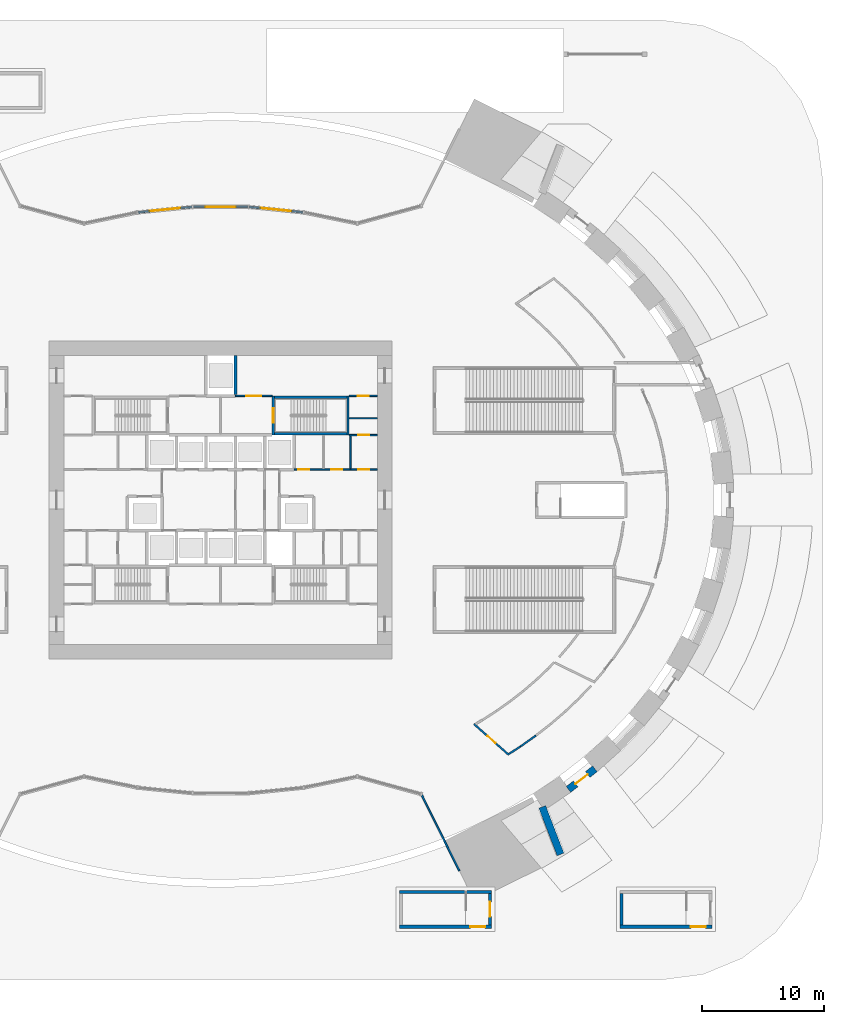
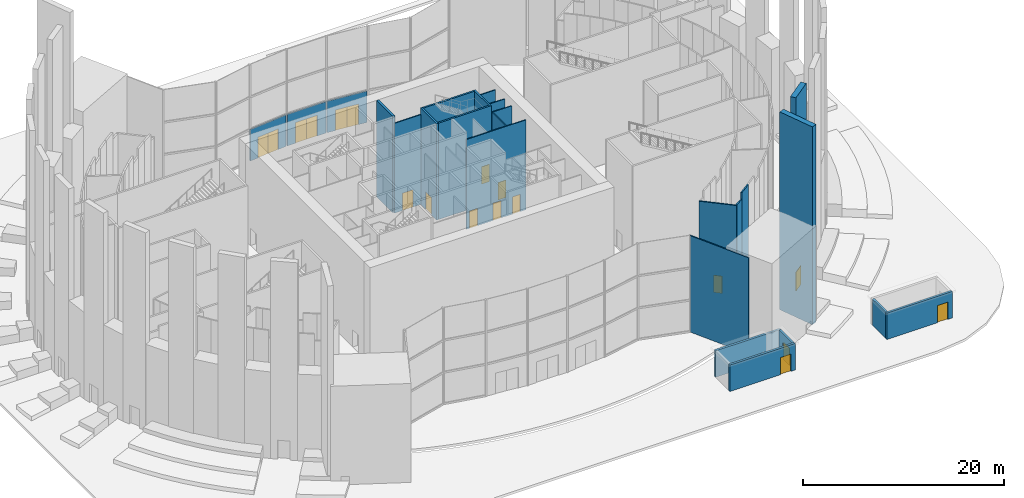
# One storey, part 12 of 25: 25 walls, 18 doors, 18 openings.
"""IFC4 building model written with IfcOpenShell, lengths in metres."""

from ifc_helpers import new_model, si_unit, direction, frame, frame_2d, origin, place, context, subcontext, project, spatial, rectangle, extrude, source, transform, mapped, material, layer, layer_set, type_object, element, fill, save


model = new_model("IFC4")

# Units and contexts
model_context = context("Model", 3, precision=1e-05, world=origin(), true_north=direction((0.0, 1.0)))
body_context = subcontext(model_context, "Body", "Model", "MODEL_VIEW")
ifc_project = project(units=[si_unit("LENGTHUNIT", "METRE"), si_unit("AREAUNIT", "SQUARE_METRE"), si_unit("VOLUMEUNIT", "CUBIC_METRE"), si_unit("PLANEANGLEUNIT", "RADIAN"), si_unit("MASSUNIT", "GRAM", prefix="KILO")], contexts=[model_context])

# Site, building, storey
site_placement = place(None, origin())
site = spatial("IfcSite", under=ifc_project, at=site_placement, CompositionType="ELEMENT")
building_placement = place(site_placement, origin())
building = spatial("IfcBuilding", under=site, at=building_placement, Name="Embergate Tower", CompositionType="ELEMENT")
storey_placement = place(building_placement, origin())
storey = spatial("IfcBuildingStorey", under=building, at=storey_placement, Name="L00", CompositionType="ELEMENT", Elevation=0.0)

# Wall
ifc_material_1 = material(Name="Brick masonry, solid, with terracotta coping", Category="masonry")
ifc_layer_1 = layer(ifc_material_1, 0.60009765625)
ifc_layer_set_1 = layer_set([ifc_layer_1], Name="Brick masonry, solid, with terracotta coping")
wall_type_1 = type_object("IfcWallType", Name="Masonry base wall", PredefinedType="SOLIDWALL", material=ifc_layer_set_1)
shared_shape_1 = source(origin(), body_context, "Body", "SweptSolid", [
    extrude(rectangle(XDim=4.158203125, YDim=0.60009765625, at=frame_2d((2.0791015625, 0.0))), origin(), (0.0, 0.0, 1.0), 24.0),
])
wall_1_placement = place(storey_placement, frame((26.26123046875, -25.063232421875, 0.0), z_axis=(0.0, 0.0, 1.0), x_axis=(0.359557362016, -0.933122984081, 0.0)))
element("IfcWall", 1, at=wall_1_placement, inside=storey, type_object=wall_type_1, Name="Masonry base wall 38", PredefinedType="SOLIDWALL", context=body_context, shape_type="MappedRepresentation", body=[
    mapped(shared_shape_1, transform((0.0, 0.0, 0.0))),
])

# Wall, opening, door
shared_shape_2 = source(origin(), body_context, "Body", "SweptSolid", [
    extrude(rectangle(XDim=2.734375, YDim=0.60009765625, at=frame_2d((1.3671875, 0.0))), origin(), (0.0, 0.0, 1.0), 24.0),
])
wall_2_placement = place(storey_placement, frame((30.5634765625, -21.957275390625, 0.0), z_axis=(0.0, 0.0, 1.0), x_axis=(-0.789015561302, -0.614373212325, 0.0)))
wall_2 = element("IfcWall", 2, at=wall_2_placement, inside=storey, type_object=wall_type_1, Name="Masonry base wall 39", PredefinedType="SOLIDWALL", context=body_context, shape_type="MappedRepresentation", body=[
    mapped(shared_shape_2, transform((0.0, 0.0, 0.0))),
])
shared_shape_3 = source(origin(), body_context, "Body", "SweptSolid", [
    extrude(rectangle(XDim=1.25, YDim=2.300048828125, at=frame_2d((0.625, 1.14990234375))), frame((0.0, 0.31005859375, 0.0), z_axis=(0.0, -1.0, 0.0), x_axis=(1.0, 0.0, 0.0)), (0.0, 0.0, 1.0), 0.6201171875),
])
opening_1_placement = place(wall_2_placement, frame((0.7421875, 0.0, 0.0)))
opening_1 = element("IfcOpeningElement", 3, at=opening_1_placement, cuts=wall_2, Name="Opening XD", PredefinedType="OPENING", context=body_context, shape_type="MappedRepresentation", body=[
    mapped(shared_shape_3, transform((0.0, 0.0, 0.0))),
])
ifc_material_2 = material(Name="Aluminium and toughened glass", Category="aluminium")
door_type_1 = type_object("IfcDoorType", Name="Exit door leaf", OperationType="SINGLE_SWING_LEFT", PredefinedType="DOOR", material=ifc_material_2)
shared_shape_4 = source(origin(), body_context, "Body", "SweptSolid", [
    extrude(rectangle(XDim=1.25, YDim=2.300048828125, at=frame_2d((0.625, 1.14990234375))), frame((0.0, 0.02490234375, 0.0), z_axis=(0.0, -1.0, 0.0), x_axis=(1.0, 0.0, 0.0)), (0.0, 0.0, 1.0), 0.050048828125),
])
door_1_placement = place(opening_1_placement, origin())
door_1 = element("IfcDoor", 4, at=door_1_placement, inside=storey, type_object=door_type_1, Name="Exit door ST2 39.1", OperationType="SINGLE_SWING_LEFT", OverallHeight=2.300048828125, OverallWidth=1.25, PredefinedType="DOOR", context=body_context, shape_type="MappedRepresentation", body=[
    mapped(shared_shape_4, transform((0.0, 0.0, 0.0))),
])
fill(opening_1, door_1)

# Wall, openings, doors
ifc_layer_2 = layer(ifc_material_2, 0.139892578125)
ifc_layer_set_2 = layer_set([ifc_layer_2], Name="Aluminium and toughened glass")
wall_type_2 = type_object("IfcWallType", Name="Glazed entrance screen", PredefinedType="SOLIDWALL", material=ifc_layer_set_2)
shared_shape_5 = source(origin(), body_context, "Body", "SweptSolid", [
    extrude(rectangle(XDim=4.390869140625, YDim=0.139892578125, at=frame_2d((2.1953125, 0.0))), origin(), (0.0, 0.0, 1.0), 3.81005859375),
])
wall_3_placement = place(storey_placement, frame((2.3466796875, 23.935791015625, 0.0), z_axis=(0.0, 0.0, 1.0), x_axis=(0.994939828097, -0.100472575689, 0.0)))
wall_3 = element("IfcWall", 5, at=wall_3_placement, inside=storey, type_object=wall_type_2, Name="Entrance screen 103", PredefinedType="SOLIDWALL", context=body_context, shape_type="MappedRepresentation", body=[
    mapped(shared_shape_5, transform((0.0, 0.0, 0.0))),
])
shared_shape_6 = source(origin(), body_context, "Body", "SweptSolid", [
    extrude(rectangle(XDim=1.25, YDim=2.5, at=frame_2d((0.625, 1.25))), frame((0.0, 0.079833984375, 0.0), z_axis=(0.0, -1.0, 0.0), x_axis=(1.0, 0.0, 0.0)), (0.0, 0.0, 1.0), 0.159912109375),
])
opening_2_placement = place(wall_3_placement, frame((0.9453125, 0.0, 0.0)))
opening_2 = element("IfcOpeningElement", 6, at=opening_2_placement, cuts=wall_3, Name="Opening ED", PredefinedType="OPENING", context=body_context, shape_type="MappedRepresentation", body=[
    mapped(shared_shape_6, transform((0.0, 0.0, 0.0))),
])
opening_3_placement = place(wall_3_placement, frame((2.1953125, 0.0, 0.0)))
opening_3 = element("IfcOpeningElement", 7, at=opening_3_placement, cuts=wall_3, Name="Opening ED", PredefinedType="OPENING", context=body_context, shape_type="MappedRepresentation", body=[
    mapped(shared_shape_6, transform((0.0, 0.0, 0.0))),
])
door_type_2 = type_object("IfcDoorType", Name="Entrance door leaf", OperationType="SINGLE_SWING_LEFT", PredefinedType="DOOR", material=ifc_material_2)
shared_shape_7 = source(origin(), body_context, "Body", "SweptSolid", [
    extrude(rectangle(XDim=1.25, YDim=2.5, at=frame_2d((0.625, 1.25))), frame((0.0, 0.02490234375, 0.0), z_axis=(0.0, -1.0, 0.0), x_axis=(1.0, 0.0, 0.0)), (0.0, 0.0, 1.0), 0.050048828125),
])
door_2_placement = place(opening_2_placement, origin())
door_2 = element("IfcDoor", 8, at=door_2_placement, inside=storey, type_object=door_type_2, Name="Entrance door 103.1", OperationType="SINGLE_SWING_LEFT", OverallHeight=2.5, OverallWidth=1.25, PredefinedType="DOOR", context=body_context, shape_type="MappedRepresentation", body=[
    mapped(shared_shape_7, transform((0.0, 0.0, 0.0))),
])
fill(opening_2, door_2)
door_3_placement = place(opening_3_placement, origin())
door_3 = element("IfcDoor", 9, at=door_3_placement, inside=storey, type_object=door_type_2, Name="Entrance door 103.2", OperationType="SINGLE_SWING_LEFT", OverallHeight=2.5, OverallWidth=1.25, PredefinedType="DOOR", context=body_context, shape_type="MappedRepresentation", body=[
    mapped(shared_shape_7, transform((0.0, 0.0, 0.0))),
])
fill(opening_3, door_3)

wall_4_placement = place(storey_placement, frame((-6.71533203125, 23.49462890625, 0.0), z_axis=(0.0, 0.0, 1.0), x_axis=(0.994939828097, 0.100472575689, 0.0)))
wall_4 = element("IfcWall", 10, at=wall_4_placement, inside=storey, type_object=wall_type_2, Name="Entrance screen 105", PredefinedType="SOLIDWALL", context=body_context, shape_type="MappedRepresentation", body=[
    mapped(shared_shape_5, transform((0.0, 0.0, 0.0))),
])
opening_4_placement = place(wall_4_placement, frame((0.9453125, 0.0, 0.0)))
opening_4 = element("IfcOpeningElement", 11, at=opening_4_placement, cuts=wall_4, Name="Opening ED", PredefinedType="OPENING", context=body_context, shape_type="MappedRepresentation", body=[
    mapped(shared_shape_6, transform((0.0, 0.0, 0.0))),
])
opening_5_placement = place(wall_4_placement, frame((2.1953125, 0.0, 0.0)))
opening_5 = element("IfcOpeningElement", 12, at=opening_5_placement, cuts=wall_4, Name="Opening ED", PredefinedType="OPENING", context=body_context, shape_type="MappedRepresentation", body=[
    mapped(shared_shape_6, transform((0.0, 0.0, 0.0))),
])
door_4_placement = place(opening_4_placement, origin())
door_4 = element("IfcDoor", 13, at=door_4_placement, inside=storey, type_object=door_type_2, Name="Entrance door 105.1", OperationType="SINGLE_SWING_LEFT", OverallHeight=2.5, OverallWidth=1.25, PredefinedType="DOOR", context=body_context, shape_type="MappedRepresentation", body=[
    mapped(shared_shape_7, transform((0.0, 0.0, 0.0))),
])
fill(opening_4, door_4)
door_5_placement = place(opening_5_placement, origin())
door_5 = element("IfcDoor", 14, at=door_5_placement, inside=storey, type_object=door_type_2, Name="Entrance door 105.2", OperationType="SINGLE_SWING_LEFT", OverallHeight=2.5, OverallWidth=1.25, PredefinedType="DOOR", context=body_context, shape_type="MappedRepresentation", body=[
    mapped(shared_shape_7, transform((0.0, 0.0, 0.0))),
])
fill(opening_5, door_5)

shared_shape_8 = source(origin(), body_context, "Body", "SweptSolid", [
    extrude(rectangle(XDim=4.4140625, YDim=0.139892578125, at=frame_2d((2.20703125, 0.0))), origin(), (0.0, 0.0, 1.0), 3.81005859375),
])
wall_5_placement = place(storey_placement, frame((-2.20703125, 23.94287109375, 0.0), z_axis=(0.0, 0.0, 1.0), x_axis=(1.0, 0.0, 0.0)))
wall_5 = element("IfcWall", 15, at=wall_5_placement, inside=storey, type_object=wall_type_2, Name="Entrance screen 104", PredefinedType="SOLIDWALL", context=body_context, shape_type="MappedRepresentation", body=[
    mapped(shared_shape_8, transform((0.0, 0.0, 0.0))),
])
opening_6_placement = place(wall_5_placement, frame((0.95703125, 0.0, 0.0)))
opening_6 = element("IfcOpeningElement", 16, at=opening_6_placement, cuts=wall_5, Name="Opening ED", PredefinedType="OPENING", context=body_context, shape_type="MappedRepresentation", body=[
    mapped(shared_shape_6, transform((0.0, 0.0, 0.0))),
])
opening_7_placement = place(wall_5_placement, frame((2.20703125, 0.0, 0.0)))
opening_7 = element("IfcOpeningElement", 17, at=opening_7_placement, cuts=wall_5, Name="Opening ED", PredefinedType="OPENING", context=body_context, shape_type="MappedRepresentation", body=[
    mapped(shared_shape_6, transform((0.0, 0.0, 0.0))),
])
door_6_placement = place(opening_6_placement, origin())
door_6 = element("IfcDoor", 18, at=door_6_placement, inside=storey, type_object=door_type_2, Name="Entrance door 104.1", OperationType="SINGLE_SWING_LEFT", OverallHeight=2.5, OverallWidth=1.25, PredefinedType="DOOR", context=body_context, shape_type="MappedRepresentation", body=[
    mapped(shared_shape_7, transform((0.0, 0.0, 0.0))),
])
fill(opening_6, door_6)
door_7_placement = place(opening_7_placement, origin())
door_7 = element("IfcDoor", 19, at=door_7_placement, inside=storey, type_object=door_type_2, Name="Entrance door 104.2", OperationType="SINGLE_SWING_LEFT", OverallHeight=2.5, OverallWidth=1.25, PredefinedType="DOOR", context=body_context, shape_type="MappedRepresentation", body=[
    mapped(shared_shape_7, transform((0.0, 0.0, 0.0))),
])
fill(opening_7, door_7)

# Wall
ifc_layer_3 = layer(ifc_material_2, 0.139892578125)
ifc_layer_set_3 = layer_set([ifc_layer_3], Name="Aluminium and toughened glass")
wall_type_3 = type_object("IfcWallType", Name="Glazed portal return", PredefinedType="SOLIDWALL", material=ifc_layer_set_3)
shared_shape_9 = source(origin(), body_context, "Body", "SweptSolid", [
    extrude(rectangle(XDim=7.0, YDim=0.139892578125, at=frame_2d((3.5, 0.0))), origin(), (0.0, 0.0, 1.0), 11.699951171875),
])
wall_6_placement = place(storey_placement, frame((19.4951171875, -30.2880859375, 0.0), z_axis=(0.0, 0.0, 1.0), x_axis=(-0.444714670292, 0.895672296115, 0.0)))
element("IfcWall", 20, at=wall_6_placement, inside=storey, type_object=wall_type_3, Name="Portal return S2", PredefinedType="SOLIDWALL", context=body_context, shape_type="MappedRepresentation", body=[
    mapped(shared_shape_9, transform((0.0, 0.0, 0.0))),
])

# Wall, openings, doors
ifc_material_3 = material(Name="Core partition blockwork 120")
ifc_layer_4 = layer(ifc_material_3, 0.1201171875)
ifc_layer_set_4 = layer_set([ifc_layer_4], Name="Core partition blockwork 120")
wall_type_4 = type_object("IfcWallType", Name="Core partition blockwork 120", PredefinedType="PARTITIONING", material=ifc_layer_set_4)
shared_shape_10 = source(origin(), body_context, "Body", "SweptSolid", [
    extrude(rectangle(XDim=6.800048828125, YDim=0.1201171875, at=frame_2d((3.39990234375, 0.0))), origin(), (0.0, 0.0, 1.0), 10.89990234375),
])
wall_7_placement = place(storey_placement, frame((6.0, 2.5, 0.0), z_axis=(0.0, 0.0, 1.0), x_axis=(1.0, 0.0, 0.0)))
wall_7 = element("IfcWall", 21, at=wall_7_placement, inside=storey, type_object=wall_type_4, Name="IP-3 wall", PredefinedType="PARTITIONING", context=body_context, shape_type="MappedRepresentation", body=[
    mapped(shared_shape_10, transform((0.0, 0.0, 0.0))),
])
shared_shape_11 = source(origin(), body_context, "Body", "SweptSolid", [
    extrude(rectangle(XDim=0.89990234375, YDim=2.10009765625, at=frame_2d((0.449951171875, 1.050048828125))), frame((0.0, 0.070068359375, 0.0), z_axis=(0.0, -1.0, 0.0), x_axis=(1.0, 0.0, 0.0)), (0.0, 0.0, 1.0), 0.14013671875),
])
opening_8_placement = place(wall_7_placement, frame((0.35009765625, 0.0, 0.0)))
opening_8 = element("IfcOpeningElement", 22, at=opening_8_placement, cuts=wall_7, Name="Opening ID-1", PredefinedType="OPENING", context=body_context, shape_type="MappedRepresentation", body=[
    mapped(shared_shape_11, transform((0.0, 0.0, 0.0))),
])
opening_9_placement = place(wall_7_placement, frame((3.050048828125, 0.0, 0.0)))
opening_9 = element("IfcOpeningElement", 23, at=opening_9_placement, cuts=wall_7, Name="Opening ID-1", PredefinedType="OPENING", context=body_context, shape_type="MappedRepresentation", body=[
    mapped(shared_shape_11, transform((0.0, 0.0, 0.0))),
])
opening_10_placement = place(wall_7_placement, frame((5.25, 0.0, 0.0)))
opening_10 = element("IfcOpeningElement", 24, at=opening_10_placement, cuts=wall_7, Name="Opening ID-1", PredefinedType="OPENING", context=body_context, shape_type="MappedRepresentation", body=[
    mapped(shared_shape_11, transform((0.0, 0.0, 0.0))),
])
ifc_material_4 = material(Name="Interior door 900")
door_type_3 = type_object("IfcDoorType", Name="Interior door 900", OperationType="SINGLE_SWING_LEFT", PredefinedType="DOOR", material=ifc_material_4)
shared_shape_12 = source(origin(), body_context, "Body", "SweptSolid", [
    extrude(rectangle(XDim=0.89990234375, YDim=2.10009765625, at=frame_2d((0.449951171875, 1.050048828125))), frame((0.0, 0.02490234375, 0.0), z_axis=(0.0, -1.0, 0.0), x_axis=(1.0, 0.0, 0.0)), (0.0, 0.0, 1.0), 0.050048828125),
])
door_8_placement = place(opening_8_placement, origin())
door_8 = element("IfcDoor", 25, at=door_8_placement, inside=storey, type_object=door_type_3, Name="ID-1 door", OperationType="SINGLE_SWING_LEFT", OverallHeight=2.10009765625, OverallWidth=0.89990234375, PredefinedType="DOOR", context=body_context, shape_type="MappedRepresentation", body=[
    mapped(shared_shape_12, transform((0.0, 0.0, 0.0))),
])
fill(opening_8, door_8)
door_9_placement = place(opening_9_placement, origin())
door_9 = element("IfcDoor", 26, at=door_9_placement, inside=storey, type_object=door_type_3, Name="ID-1 door", OperationType="SINGLE_SWING_LEFT", OverallHeight=2.10009765625, OverallWidth=0.89990234375, PredefinedType="DOOR", context=body_context, shape_type="MappedRepresentation", body=[
    mapped(shared_shape_12, transform((0.0, 0.0, 0.0))),
])
fill(opening_9, door_9)
door_10_placement = place(opening_10_placement, origin())
door_10 = element("IfcDoor", 27, at=door_10_placement, inside=storey, type_object=door_type_3, Name="ID-1 door", OperationType="SINGLE_SWING_RIGHT", OverallHeight=2.10009765625, OverallWidth=0.89990234375, PredefinedType="DOOR", context=body_context, shape_type="MappedRepresentation", body=[
    mapped(shared_shape_12, transform((0.0, 0.0, 0.0))),
])
fill(opening_10, door_10)

# Walls
ifc_material_5 = material(Name="Concrete C50", Category="concrete")
ifc_layer_5 = layer(ifc_material_5, 0.199951171875)
ifc_layer_set_5 = layer_set([ifc_layer_5], Name="Concrete C50")
wall_type_5 = type_object("IfcWallType", Name="Stair enclosure wall reinforced concrete 250", PredefinedType="SHEAR", material=ifc_layer_set_5)
shared_shape_13 = source(origin(), body_context, "Body", "SweptSolid", [
    extrude(rectangle(XDim=6.300048828125, YDim=0.199951171875, at=frame_2d((3.14990234375, 0.0))), origin(), (0.0, 0.0, 1.0), 11.699951171875),
])
for number, where, z_axis, x_axis, name in (
    (28, (10.5, 5.39990234375, 0.0), (0.0, 0.0, 1.0), (-1.0, 0.0, 0.0), "SE-1 wall"),
    (29, (10.5, 8.39990234375, 0.0), (0.0, 0.0, 1.0), (-1.0, 0.0, 0.0), "SE-1 wall"),
):
    element("IfcWall", number, at=place(storey_placement, frame(where, z_axis=z_axis, x_axis=x_axis)), inside=storey, type_object=wall_type_5, Name=name, PredefinedType="SHEAR", context=body_context, shape_type="MappedRepresentation", body=[
        mapped(shared_shape_13, transform((0.0, 0.0, 0.0))),
    ])

# Wall, opening, door
shared_shape_14 = source(origin(), body_context, "Body", "SweptSolid", [
    extrude(rectangle(XDim=3.199951171875, YDim=0.199951171875, at=frame_2d((1.60009765625, 0.0))), origin(), (0.0, 0.0, 1.0), 11.699951171875),
])
wall_8_placement = place(storey_placement, frame((4.300048828125, 8.5, 0.0), z_axis=(0.0, 0.0, 1.0), x_axis=(0.0, -1.0, 0.0)))
wall_8 = element("IfcWall", 30, at=wall_8_placement, inside=storey, type_object=wall_type_5, Name="SE-1 wall", PredefinedType="SHEAR", context=body_context, shape_type="MappedRepresentation", body=[
    mapped(shared_shape_14, transform((0.0, 0.0, 0.0))),
])
shared_shape_15 = source(origin(), body_context, "Body", "SweptSolid", [
    extrude(rectangle(XDim=1.199951171875, YDim=2.10009765625, at=frame_2d((0.60009765625, 1.050048828125))), frame((0.0, 0.10986328125, 0.0), z_axis=(0.0, -1.0, 0.0), x_axis=(1.0, 0.0, 0.0)), (0.0, 0.0, 1.0), 0.219970703125),
])
opening_11_placement = place(wall_8_placement, frame((1.0, 0.0, 0.0)))
opening_11 = element("IfcOpeningElement", 31, at=opening_11_placement, cuts=wall_8, Name="Opening IF-2", PredefinedType="OPENING", context=body_context, shape_type="MappedRepresentation", body=[
    mapped(shared_shape_15, transform((0.0, 0.0, 0.0))),
])
ifc_material_6 = material(Name="Stair enclosure door 1200")
door_type_4 = type_object("IfcDoorType", Name="Stair enclosure door 1200", OperationType="SINGLE_SWING_LEFT", PredefinedType="DOOR", material=ifc_material_6)
shared_shape_16 = source(origin(), body_context, "Body", "SweptSolid", [
    extrude(rectangle(XDim=1.199951171875, YDim=2.10009765625, at=frame_2d((0.60009765625, 1.050048828125))), frame((0.0, 0.02490234375, 0.0), z_axis=(0.0, -1.0, 0.0), x_axis=(1.0, 0.0, 0.0)), (0.0, 0.0, 1.0), 0.050048828125),
])
door_11_placement = place(opening_11_placement, origin())
door_11 = element("IfcDoor", 32, at=door_11_placement, inside=storey, type_object=door_type_4, Name="IF-2 door", OperationType="SINGLE_SWING_RIGHT", OverallHeight=2.10009765625, OverallWidth=1.199951171875, PredefinedType="DOOR", context=body_context, shape_type="MappedRepresentation", body=[
    mapped(shared_shape_16, transform((0.0, 0.0, 0.0))),
])
fill(opening_11, door_11)

# Wall
wall_9_placement = place(storey_placement, frame((10.39990234375, 5.300048828125, 0.0), z_axis=(0.0, 0.0, 1.0), x_axis=(0.0, 1.0, 0.0)))
element("IfcWall", 33, at=wall_9_placement, inside=storey, type_object=wall_type_5, Name="SE-1 wall", PredefinedType="SHEAR", context=body_context, shape_type="MappedRepresentation", body=[
    mapped(shared_shape_14, transform((0.0, 0.0, 0.0))),
])

# Wall, opening, door
shared_shape_17 = source(origin(), body_context, "Body", "SweptSolid", [
    extrude(rectangle(XDim=3.0, YDim=0.1201171875, at=frame_2d((1.5, 0.0))), origin(), (0.0, 0.0, 1.0), 10.89990234375),
])
wall_10_placement = place(storey_placement, frame((4.199951171875, 8.5, 0.0), z_axis=(0.0, 0.0, 1.0), x_axis=(-1.0, 0.0, 0.0)))
wall_10 = element("IfcWall", 34, at=wall_10_placement, inside=storey, type_object=wall_type_4, Name="IP-3 wall", PredefinedType="PARTITIONING", context=body_context, shape_type="MappedRepresentation", body=[
    mapped(shared_shape_17, transform((0.0, 0.0, 0.0))),
])
shared_shape_18 = source(origin(), body_context, "Body", "SweptSolid", [
    extrude(rectangle(XDim=1.199951171875, YDim=2.10009765625, at=frame_2d((0.60009765625, 1.050048828125))), frame((0.0, 0.070068359375, 0.0), z_axis=(0.0, -1.0, 0.0), x_axis=(1.0, 0.0, 0.0)), (0.0, 0.0, 1.0), 0.14013671875),
])
opening_12_placement = place(wall_10_placement, frame((0.89990234375, 0.0, 0.0)))
opening_12 = element("IfcOpeningElement", 35, at=opening_12_placement, cuts=wall_10, Name="Opening IF-3f", PredefinedType="OPENING", context=body_context, shape_type="MappedRepresentation", body=[
    mapped(shared_shape_18, transform((0.0, 0.0, 0.0))),
])
ifc_material_7 = material(Name="Lobby fire door pair 1200")
door_type_5 = type_object("IfcDoorType", Name="Lobby fire door pair 1200", OperationType="DOUBLE_DOOR_SINGLE_SWING", PredefinedType="DOOR", material=ifc_material_7)
door_12_placement = place(opening_12_placement, origin())
door_12 = element("IfcDoor", 36, at=door_12_placement, inside=storey, type_object=door_type_5, Name="IF-3 door", OperationType="DOUBLE_DOOR_SINGLE_SWING", OverallHeight=2.10009765625, OverallWidth=1.199951171875, PredefinedType="DOOR", context=body_context, shape_type="MappedRepresentation", body=[
    mapped(shared_shape_16, transform((0.0, 0.0, 0.0))),
])
fill(opening_12, door_12)

# Wall
ifc_layer_6 = layer(ifc_material_5, 0.25)
ifc_layer_set_6 = layer_set([ifc_layer_6], Name="Concrete C50")
wall_type_6 = type_object("IfcWallType", Name="Hoistway wall reinforced concrete 250", PredefinedType="SHEAR", material=ifc_layer_set_6)
shared_shape_19 = source(origin(), body_context, "Body", "SweptSolid", [
    extrude(rectangle(XDim=3.175048828125, YDim=0.25, at=frame_2d((1.58740234375, 0.0))), origin(), (0.0, 0.0, 1.0), 11.699951171875),
])
wall_11_placement = place(storey_placement, frame((1.199951171875, 11.800048828125, 0.0), z_axis=(0.0, 0.0, 1.0), x_axis=(0.0, -1.0, 0.0)))
element("IfcWall", 37, at=wall_11_placement, inside=storey, type_object=wall_type_6, Name="HW-1 wall", PredefinedType="SHEAR", context=body_context, shape_type="MappedRepresentation", body=[
    mapped(shared_shape_19, transform((0.0, 0.0, 0.0))),
])

# Wall, opening, door
shared_shape_20 = source(origin(), body_context, "Body", "SweptSolid", [
    extrude(rectangle(XDim=2.300048828125, YDim=0.1201171875, at=frame_2d((1.14990234375, 0.0))), origin(), (0.0, 0.0, 1.0), 10.89990234375),
])
wall_12_placement = place(storey_placement, frame((10.5, 8.5, 0.0), z_axis=(0.0, 0.0, 1.0), x_axis=(1.0, 0.0, 0.0)))
wall_12 = element("IfcWall", 38, at=wall_12_placement, inside=storey, type_object=wall_type_4, Name="IP-3 wall", PredefinedType="PARTITIONING", context=body_context, shape_type="MappedRepresentation", body=[
    mapped(shared_shape_20, transform((0.0, 0.0, 0.0))),
])
opening_13_placement = place(wall_12_placement, frame((0.699951171875, 0.0, 0.0)))
opening_13 = element("IfcOpeningElement", 39, at=opening_13_placement, cuts=wall_12, Name="Opening ID-1", PredefinedType="OPENING", context=body_context, shape_type="MappedRepresentation", body=[
    mapped(shared_shape_11, transform((0.0, 0.0, 0.0))),
])
door_13_placement = place(opening_13_placement, origin())
door_13 = element("IfcDoor", 40, at=door_13_placement, inside=storey, type_object=door_type_3, Name="ID-1 door", OperationType="SINGLE_SWING_RIGHT", OverallHeight=2.10009765625, OverallWidth=0.89990234375, PredefinedType="DOOR", context=body_context, shape_type="MappedRepresentation", body=[
    mapped(shared_shape_12, transform((0.0, 0.0, 0.0))),
])
fill(opening_13, door_13)

wall_13_placement = place(storey_placement, frame((12.800048828125, 5.300048828125, 0.0), z_axis=(0.0, 0.0, 1.0), x_axis=(-1.0, 0.0, 0.0)))
wall_13 = element("IfcWall", 41, at=wall_13_placement, inside=storey, type_object=wall_type_4, Name="IP-3 wall", PredefinedType="PARTITIONING", context=body_context, shape_type="MappedRepresentation", body=[
    mapped(shared_shape_20, transform((0.0, 0.0, 0.0))),
])
opening_14_placement = place(wall_13_placement, frame((0.64990234375, 0.0, 0.0)))
opening_14 = element("IfcOpeningElement", 42, at=opening_14_placement, cuts=wall_13, Name="Opening ID-1", PredefinedType="OPENING", context=body_context, shape_type="MappedRepresentation", body=[
    mapped(shared_shape_11, transform((0.0, 0.0, 0.0))),
])
door_14_placement = place(opening_14_placement, origin())
door_14 = element("IfcDoor", 43, at=door_14_placement, inside=storey, type_object=door_type_3, Name="ID-1 door", OperationType="SINGLE_SWING_LEFT", OverallHeight=2.10009765625, OverallWidth=0.89990234375, PredefinedType="DOOR", context=body_context, shape_type="MappedRepresentation", body=[
    mapped(shared_shape_12, transform((0.0, 0.0, 0.0))),
])
fill(opening_14, door_14)

# Walls
wall_14_placement = place(storey_placement, frame((12.800048828125, 6.676025390625, 0.0), z_axis=(0.0, 0.0, 1.0), x_axis=(-1.0, 0.0, 0.0)))
element("IfcWall", 44, at=wall_14_placement, inside=storey, type_object=wall_type_4, Name="IP-3 wall", PredefinedType="PARTITIONING", context=body_context, shape_type="MappedRepresentation", body=[
    mapped(shared_shape_20, transform((0.0, 0.0, 0.0))),
])
shared_shape_21 = source(origin(), body_context, "Body", "SweptSolid", [
    extrude(rectangle(XDim=2.679931640625, YDim=0.1201171875, at=frame_2d((1.33984375, 0.0))), origin(), (0.0, 0.0, 1.0), 10.89990234375),
])
wall_15_placement = place(storey_placement, frame((10.60009765625, 2.56005859375, 0.0), z_axis=(0.0, 0.0, 1.0), x_axis=(0.0, 1.0, 0.0)))
element("IfcWall", 45, at=wall_15_placement, inside=storey, type_object=wall_type_4, Name="IP-3 wall", PredefinedType="PARTITIONING", context=body_context, shape_type="MappedRepresentation", body=[
    mapped(shared_shape_21, transform((0.0, 0.0, 0.0))),
])
ifc_material_8 = material(Name="Plasterboard on steel stud", Category="steel")
ifc_layer_7 = layer(ifc_material_8, 0.14990234375)
ifc_layer_set_7 = layer_set([ifc_layer_7], Name="Plasterboard on steel stud")
wall_type_7 = type_object("IfcWallType", Name="Partition wall 150 board", PredefinedType="PARTITIONING", material=ifc_layer_set_7)
shared_shape_22 = source(origin(), body_context, "Body", "SweptSolid", [
    extrude(rectangle(XDim=1.553466796875, YDim=0.14990234375, at=frame_2d((0.77685546875, 0.0))), origin(), (0.0, 0.0, 1.0), 11.699951171875),
])
wall_16_placement = place(storey_placement, frame((25.75390625, -19.22998046875, 0.0), z_axis=(0.0, 0.0, 1.0), x_axis=(-0.81554542889, -0.578693056306, 0.0)))
element("IfcWall", 46, at=wall_16_placement, inside=storey, type_object=wall_type_7, Name="Partition 094", PredefinedType="PARTITIONING", context=body_context, shape_type="MappedRepresentation", body=[
    mapped(shared_shape_22, transform((0.0, 0.0, 0.0))),
])
shared_shape_23 = source(origin(), body_context, "Body", "SweptSolid", [
    extrude(rectangle(XDim=1.114501953125, YDim=0.14990234375, at=frame_2d((0.55712890625, 0.0))), origin(), (0.0, 0.0, 1.0), 10.89990234375),
])
wall_17_placement = place(storey_placement, frame((24.487060546875, -20.12890625, 0.0), z_axis=(0.0, 0.0, 1.0), x_axis=(-0.839852142467, -0.54281523449, 0.0)))
element("IfcWall", 47, at=wall_17_placement, inside=storey, type_object=wall_type_7, Name="Partition 091", PredefinedType="PARTITIONING", context=body_context, shape_type="MappedRepresentation", body=[
    mapped(shared_shape_23, transform((0.0, 0.0, 0.0))),
])

# Wall, opening, door
shared_shape_24 = source(origin(), body_context, "Body", "SweptSolid", [
    extrude(rectangle(XDim=3.816162109375, YDim=0.14990234375, at=frame_2d((1.908203125, 0.0))), origin(), (0.0, 0.0, 1.0), 10.89990234375),
])
wall_18_placement = place(storey_placement, frame((23.5439453125, -20.824951171875, 0.0), z_axis=(0.0, 0.0, 1.0), x_axis=(-0.74887932709, 0.662706385557, 0.0)))
wall_18 = element("IfcWall", 48, at=wall_18_placement, inside=storey, type_object=wall_type_7, Name="Partition 088", PredefinedType="PARTITIONING", context=body_context, shape_type="MappedRepresentation", body=[
    mapped(shared_shape_24, transform((0.0, 0.0, 0.0))),
])
shared_shape_25 = source(origin(), body_context, "Body", "SweptSolid", [
    extrude(rectangle(XDim=0.89990234375, YDim=2.10009765625, at=frame_2d((0.449951171875, 1.050048828125))), frame((0.0, 0.0849609375, 0.0), z_axis=(0.0, -1.0, 0.0), x_axis=(1.0, 0.0, 0.0)), (0.0, 0.0, 1.0), 0.169921875),
])
opening_15_placement = place(wall_18_placement, frame((1.4580078125, 0.0, 0.0)))
opening_15 = element("IfcOpeningElement", 49, at=opening_15_placement, cuts=wall_18, Name="Opening DS-004", PredefinedType="OPENING", context=body_context, shape_type="MappedRepresentation", body=[
    mapped(shared_shape_25, transform((0.0, 0.0, 0.0))),
])
ifc_material_9 = material(Name="Timber door leaf, steel frame", Category="steel")
door_type_6 = type_object("IfcDoorType", Name="Single door 900x2100", OperationType="SINGLE_SWING_LEFT", PredefinedType="DOOR", material=ifc_material_9)
shared_shape_26 = source(origin(), body_context, "Body", "SweptSolid", [
    extrude(rectangle(XDim=0.89990234375, YDim=2.10009765625, at=frame_2d((0.449951171875, 1.050048828125))), frame((0.0, 0.02490234375, 0.0), z_axis=(0.0, -1.0, 0.0), x_axis=(1.0, 0.0, 0.0)), (0.0, 0.0, 1.0), 0.050048828125),
])
door_15_placement = place(opening_15_placement, origin())
door_15 = element("IfcDoor", 50, at=door_15_placement, inside=storey, type_object=door_type_6, Name="Door to Retail kiosk", OperationType="SINGLE_SWING_LEFT", OverallHeight=2.10009765625, OverallWidth=0.89990234375, PredefinedType="DOOR", context=body_context, shape_type="MappedRepresentation", body=[
    mapped(shared_shape_26, transform((0.0, 0.0, 0.0))),
])
fill(opening_15, door_15)

ifc_material_10 = material(Name="Concrete C40", Category="concrete")
ifc_layer_8 = layer(ifc_material_10, 0.25)
ifc_layer_set_8 = layer_set([ifc_layer_8], Name="Concrete C40")
wall_type_8 = type_object("IfcWallType", Name="Stair head house wall C40 250", PredefinedType="SOLIDWALL", material=ifc_layer_set_8)
shared_shape_27 = source(origin(), body_context, "Body", "SweptSolid", [
    extrude(rectangle(XDim=7.52001953125, YDim=0.25, at=frame_2d((3.760009765625, 0.0))), origin(), (0.0, 0.0, 1.0), 3.199951171875),
])
wall_19_placement = place(storey_placement, frame((22.125, -34.85009765625, 0.0), z_axis=(0.0, 0.0, 1.0), x_axis=(-1.0, 0.0, 0.0)))
wall_19 = element("IfcWall", 51, at=wall_19_placement, inside=storey, type_object=wall_type_8, Name="Stair head house wall", PredefinedType="SOLIDWALL", context=body_context, shape_type="MappedRepresentation", body=[
    mapped(shared_shape_27, transform((0.0, 0.0, 0.0))),
])
shared_shape_28 = source(origin(), body_context, "Body", "SweptSolid", [
    extrude(rectangle(XDim=1.199951171875, YDim=2.10009765625, at=frame_2d((0.60009765625, 1.050048828125))), frame((0.0, 0.135009765625, 0.0), z_axis=(0.0, -1.0, 0.0), x_axis=(1.0, 0.0, 0.0)), (0.0, 0.0, 1.0), 0.27001953125),
])
opening_16_placement = place(wall_19_placement, frame((0.52490234375, 0.0, 0.0)))
opening_16 = element("IfcOpeningElement", 52, at=opening_16_placement, cuts=wall_19, Name="Opening XD-3", PredefinedType="OPENING", context=body_context, shape_type="MappedRepresentation", body=[
    mapped(shared_shape_28, transform((0.0, 0.0, 0.0))),
])
door_type_7 = type_object("IfcDoorType", Name="Plant door 1200x2100", OperationType="SINGLE_SWING_LEFT", PredefinedType="DOOR", material=ifc_material_9)
shared_shape_29 = source(origin(), body_context, "Body", "SweptSolid", [
    extrude(rectangle(XDim=1.199951171875, YDim=2.10009765625, at=frame_2d((0.60009765625, 1.050048828125))), frame((0.0, 0.02490234375, 0.0), z_axis=(0.0, -1.0, 0.0), x_axis=(1.0, 0.0, 0.0)), (0.0, 0.0, 1.0), 0.050048828125),
])
door_16_placement = place(opening_16_placement, origin())
door_16 = element("IfcDoor", 53, at=door_16_placement, inside=storey, type_object=door_type_7, Name="Stair final exit door", OperationType="SINGLE_SWING_LEFT", OverallHeight=2.10009765625, OverallWidth=1.199951171875, PredefinedType="DOOR", context=body_context, shape_type="MappedRepresentation", body=[
    mapped(shared_shape_29, transform((0.0, 0.0, 0.0))),
])
fill(opening_16, door_16)

# Wall
wall_20_placement = place(storey_placement, frame((22.125, -32.0, 0.0), z_axis=(0.0, 0.0, 1.0), x_axis=(-1.0, 0.0, 0.0)))
element("IfcWall", 54, at=wall_20_placement, inside=storey, type_object=wall_type_8, Name="Stair head house wall", PredefinedType="SOLIDWALL", context=body_context, shape_type="MappedRepresentation", body=[
    mapped(shared_shape_27, transform((0.0, 0.0, 0.0))),
])

# Wall, opening, door
wall_21_placement = place(storey_placement, frame((40.125, -34.85009765625, 0.0), z_axis=(0.0, 0.0, 1.0), x_axis=(-1.0, 0.0, 0.0)))
wall_21 = element("IfcWall", 55, at=wall_21_placement, inside=storey, type_object=wall_type_8, Name="Stair head house wall", PredefinedType="SOLIDWALL", context=body_context, shape_type="MappedRepresentation", body=[
    mapped(shared_shape_27, transform((0.0, 0.0, 0.0))),
])
opening_17_placement = place(wall_21_placement, frame((0.52490234375, 0.0, 0.0)))
opening_17 = element("IfcOpeningElement", 56, at=opening_17_placement, cuts=wall_21, Name="Opening XD-4", PredefinedType="OPENING", context=body_context, shape_type="MappedRepresentation", body=[
    mapped(shared_shape_28, transform((0.0, 0.0, 0.0))),
])
door_17_placement = place(opening_17_placement, origin())
door_17 = element("IfcDoor", 57, at=door_17_placement, inside=storey, type_object=door_type_7, Name="Stair final exit door", OperationType="SINGLE_SWING_LEFT", OverallHeight=2.10009765625, OverallWidth=1.199951171875, PredefinedType="DOOR", context=body_context, shape_type="MappedRepresentation", body=[
    mapped(shared_shape_29, transform((0.0, 0.0, 0.0))),
])
fill(opening_17, door_17)

shared_shape_30 = source(origin(), body_context, "Body", "SweptSolid", [
    extrude(rectangle(XDim=2.60009765625, YDim=0.25, at=frame_2d((1.300048828125, 0.0))), origin(), (0.0, 0.0, 1.0), 3.199951171875),
])
wall_22_placement = place(storey_placement, frame((22.0, -32.125, 0.0), z_axis=(0.0, 0.0, 1.0), x_axis=(0.0, -1.0, 0.0)))
wall_22 = element("IfcWall", 58, at=wall_22_placement, inside=storey, type_object=wall_type_8, Name="Stair head house wall", PredefinedType="SOLIDWALL", context=body_context, shape_type="MappedRepresentation", body=[
    mapped(shared_shape_30, transform((0.0, 0.0, 0.0))),
])
opening_18_placement = place(wall_22_placement, frame((0.699951171875, 0.0, 0.0)))
opening_18 = element("IfcOpeningElement", 59, at=opening_18_placement, cuts=wall_22, Name="Opening XE-3", PredefinedType="OPENING", context=body_context, shape_type="MappedRepresentation", body=[
    mapped(shared_shape_28, transform((0.0, 0.0, 0.0))),
])
door_18_placement = place(opening_18_placement, origin())
door_18 = element("IfcDoor", 60, at=door_18_placement, inside=storey, type_object=door_type_7, Name="Stair second exit door", OperationType="SINGLE_SWING_LEFT", OverallHeight=2.10009765625, OverallWidth=1.199951171875, PredefinedType="DOOR", context=body_context, shape_type="MappedRepresentation", body=[
    mapped(shared_shape_29, transform((0.0, 0.0, 0.0))),
])
fill(opening_18, door_18)

# Wall
wall_23_placement = place(storey_placement, frame((32.72998046875, -32.125, 0.0), z_axis=(0.0, 0.0, 1.0), x_axis=(0.0, -1.0, 0.0)))
element("IfcWall", 61, at=wall_23_placement, inside=storey, type_object=wall_type_8, Name="Stair head house wall", PredefinedType="SOLIDWALL", context=body_context, shape_type="MappedRepresentation", body=[
    mapped(shared_shape_30, transform((0.0, 0.0, 0.0))),
])

save(model, "model.ifc")
